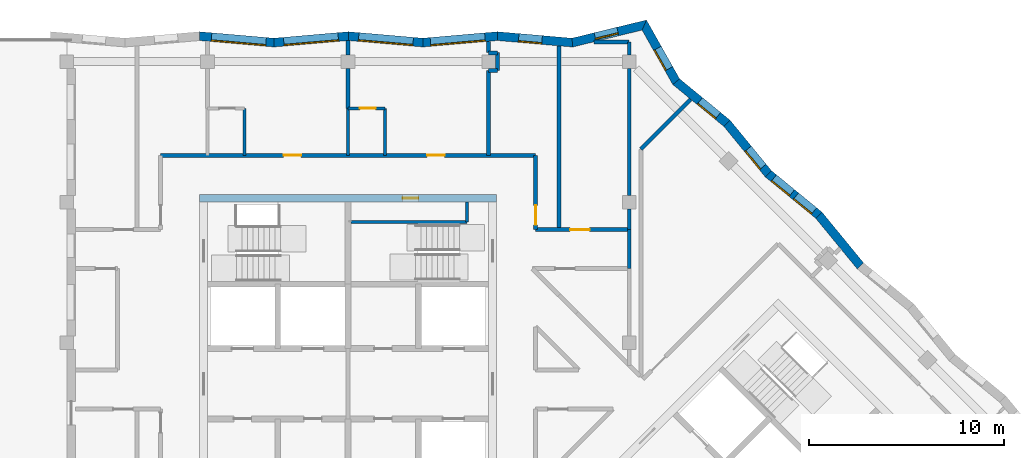
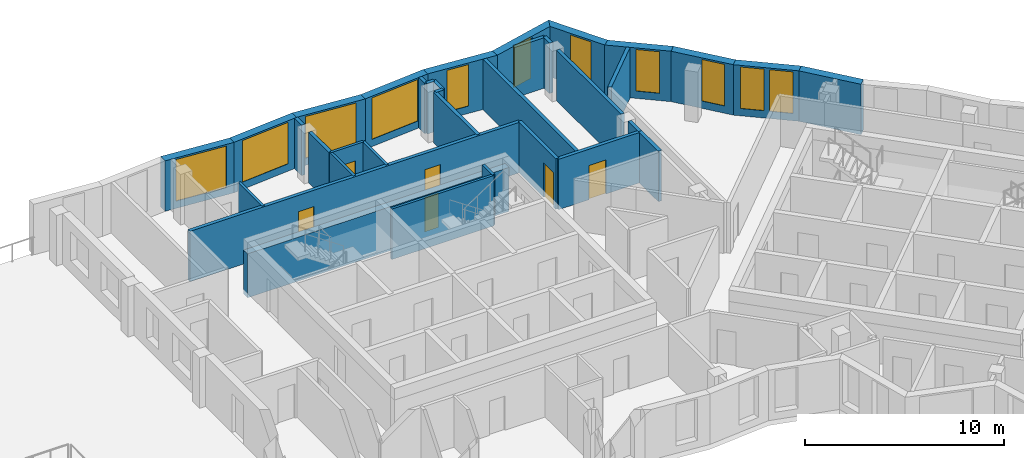
# One storey, part 6 of 12: 35 walls, 11 windows, 6 doors, 17 openings.
"""IFC4 building model written with IfcOpenShell, lengths in metres."""

from ifc_helpers import new_model, si_unit, direction, frame, frame_2d, origin, place, context, subcontext, project, spatial, polyline, rectangle, outline, extrude, material, layer, layer_set, type_object, element, fill, save


model = new_model("IFC4")

# Units and contexts
model_context = context("Model", 3, precision=1e-05, world=origin(), true_north=direction((0.0, 1.0)))
body_context = subcontext(model_context, "Body", "Model", "MODEL_VIEW")
ifc_project = project(units=[si_unit("LENGTHUNIT", "METRE"), si_unit("AREAUNIT", "SQUARE_METRE"), si_unit("VOLUMEUNIT", "CUBIC_METRE"), si_unit("PLANEANGLEUNIT", "RADIAN"), si_unit("MASSUNIT", "GRAM", prefix="KILO")], contexts=[model_context])

# Site, building, storey
site_placement = place(None, origin())
site = spatial("IfcSite", under=ifc_project, at=site_placement, CompositionType="ELEMENT")
building_placement = place(site_placement, origin())
building = spatial("IfcBuilding", under=site, at=building_placement, Name="Windrow Commons", CompositionType="ELEMENT")
storey_placement = place(building_placement, frame((0.0, 0.0, 247.2)))
storey = spatial("IfcBuildingStorey", under=building, at=storey_placement, Name="L67", CompositionType="ELEMENT", Elevation=247.2)

# Wall
ifc_material_1 = material(Name="Brick masonry, red clay brick", Category="masonry")
ifc_layer_1 = layer(ifc_material_1, 0.45)
ifc_layer_set_1 = layer_set([ifc_layer_1], Name="Brick facade wall 450")
wall_type_1 = type_object("IfcWallType", Name="Brick facade wall 450", PredefinedType="SOLIDWALL", material=ifc_layer_set_1)
wall_1_placement = place(storey_placement, frame((91.0319, 61.5455, 0.0), z_axis=(0.0, 0.0, 1.0), x_axis=(-0.6339018614, 0.7734134923, 0.0)))
element("IfcWall", 1, at=wall_1_placement, inside=storey, type_object=wall_type_1, Name="Brick facade wall L67 12", PredefinedType="SOLIDWALL", context=body_context, shape_type="SweptSolid", body=[
    extrude(outline(polyline([(0.0223, -0.225), (3.3669, -0.225), (3.3222, 0.225), (-0.0223, 0.225), (0.0223, -0.225)])), origin(), (0.0, 0.0, 1.0), 3.1),
])

# Wall, openings, windows
wall_2_placement = place(storey_placement, frame((88.9118, 64.1322, 0.0), z_axis=(0.0, 0.0, 1.0), x_axis=(-0.7734134923, 0.6339018614, 0.0)))
wall_2 = element("IfcWall", 2, at=wall_2_placement, inside=storey, type_object=wall_type_1, Name="Brick facade wall L67 13", PredefinedType="SOLIDWALL", context=body_context, shape_type="SweptSolid", body=[
    extrude(outline(polyline([(-0.0223, -0.225), (3.3222, -0.225), (3.3669, 0.225), (0.0223, 0.225), (-0.0223, -0.225)])), origin(), (0.0, 0.0, 1.0), 3.1),
])
opening_1_placement = place(wall_2_placement, frame((0.3305, 0.0, 0.45)))
opening_1 = element("IfcOpeningElement", 3, at=opening_1_placement, cuts=wall_2, Name="Opening W7F", PredefinedType="OPENING", context=body_context, shape_type="SweptSolid", body=[
    extrude(rectangle(XDim=1.2, YDim=2.55, at=frame_2d((0.6, 1.275))), frame((0.0, 0.235, 0.0), z_axis=(0.0, -1.0, 0.0), x_axis=(1.0, 0.0, 0.0)), (0.0, 0.0, 1.0), 0.47),
])
opening_2_placement = place(wall_2_placement, frame((1.7916, 0.0, 0.45)))
opening_2 = element("IfcOpeningElement", 4, at=opening_2_placement, cuts=wall_2, Name="Opening W7F", PredefinedType="OPENING", context=body_context, shape_type="SweptSolid", body=[
    extrude(rectangle(XDim=1.2, YDim=2.55, at=frame_2d((0.6, 1.275))), frame((0.0, 0.235, 0.0), z_axis=(0.0, -1.0, 0.0), x_axis=(1.0, 0.0, 0.0)), (0.0, 0.0, 1.0), 0.47),
])
ifc_material_2 = material(Name="Clear float glass in anodised aluminium frame", Category="aluminium")
window_type_1 = type_object("IfcWindowType", Name="Window W7 notch 1200x2550", PartitioningType="SINGLE_PANEL", PredefinedType="WINDOW", material=ifc_material_2)
window_1_placement = place(opening_1_placement, origin())
window_1 = element("IfcWindow", 5, at=window_1_placement, inside=storey, type_object=window_type_1, Name="Window L67 13.1", OverallHeight=2.55, OverallWidth=1.2, PartitioningType="SINGLE_PANEL", PredefinedType="WINDOW", context=body_context, shape_type="SweptSolid", body=[
    extrude(rectangle(XDim=1.2, YDim=2.55, at=frame_2d((0.6, 1.275))), frame((0.0, 0.205, 0.0), z_axis=(0.0, -1.0, 0.0), x_axis=(1.0, 0.0, 0.0)), (0.0, 0.0, 1.0), 0.06),
])
fill(opening_1, window_1)
window_2_placement = place(opening_2_placement, origin())
window_2 = element("IfcWindow", 6, at=window_2_placement, inside=storey, type_object=window_type_1, Name="Window L67 13.2", OverallHeight=2.55, OverallWidth=1.2, PartitioningType="SINGLE_PANEL", PredefinedType="WINDOW", context=body_context, shape_type="SweptSolid", body=[
    extrude(rectangle(XDim=1.2, YDim=2.55, at=frame_2d((0.6, 1.275))), frame((0.0, 0.205, 0.0), z_axis=(0.0, -1.0, 0.0), x_axis=(1.0, 0.0, 0.0)), (0.0, 0.0, 1.0), 0.06),
])
fill(opening_2, window_2)

# Wall, opening, window
wall_3_placement = place(storey_placement, frame((86.3251, 66.2523, 0.0), z_axis=(0.0, 0.0, 1.0), x_axis=(-0.6339018614, 0.7734134923, 0.0)))
wall_3 = element("IfcWall", 7, at=wall_3_placement, inside=storey, type_object=wall_type_1, Name="Brick facade wall L67 14", PredefinedType="SOLIDWALL", context=body_context, shape_type="SweptSolid", body=[
    extrude(outline(polyline([(0.0223, -0.225), (3.3669, -0.225), (3.3222, 0.225), (-0.0223, 0.225), (0.0223, -0.225)])), origin(), (0.0, 0.0, 1.0), 3.1),
])
opening_3_placement = place(wall_3_placement, frame((0.4559, 0.0, 0.45)))
opening_3 = element("IfcOpeningElement", 8, at=opening_3_placement, cuts=wall_3, Name="Opening W7F", PredefinedType="OPENING", context=body_context, shape_type="SweptSolid", body=[
    extrude(rectangle(XDim=1.2, YDim=2.55, at=frame_2d((0.6, 1.275))), frame((0.0, 0.235, 0.0), z_axis=(0.0, -1.0, 0.0), x_axis=(1.0, 0.0, 0.0)), (0.0, 0.0, 1.0), 0.47),
])
window_3_placement = place(opening_3_placement, origin())
window_3 = element("IfcWindow", 9, at=window_3_placement, inside=storey, type_object=window_type_1, Name="Window L67 14.1", OverallHeight=2.55, OverallWidth=1.2, PartitioningType="SINGLE_PANEL", PredefinedType="WINDOW", context=body_context, shape_type="SweptSolid", body=[
    extrude(rectangle(XDim=1.2, YDim=2.55, at=frame_2d((0.6, 1.275))), frame((0.0, 0.205, 0.0), z_axis=(0.0, -1.0, 0.0), x_axis=(1.0, 0.0, 0.0)), (0.0, 0.0, 1.0), 0.06),
])
fill(opening_3, window_3)

wall_4_placement = place(storey_placement, frame((84.205, 68.839, 0.0), z_axis=(0.0, 0.0, 1.0), x_axis=(-0.7734286531, 0.6338833635, 0.0)))
wall_4 = element("IfcWall", 10, at=wall_4_placement, inside=storey, type_object=wall_type_1, Name="Brick facade wall L67 15", PredefinedType="SOLIDWALL", context=body_context, shape_type="SweptSolid", body=[
    extrude(outline(polyline([(-0.0223, -0.225), (3.3222, -0.225), (3.4068, 0.225), (0.0223, 0.225), (-0.0223, -0.225)])), origin(), (0.0, 0.0, 1.0), 3.1),
])
opening_4_placement = place(wall_4_placement, frame((0.6036, 0.0, 0.45)))
opening_4 = element("IfcOpeningElement", 11, at=opening_4_placement, cuts=wall_4, Name="Opening W7F", PredefinedType="OPENING", context=body_context, shape_type="SweptSolid", body=[
    extrude(rectangle(XDim=1.2, YDim=2.55, at=frame_2d((0.6, 1.275))), frame((0.0, 0.235, 0.0), z_axis=(0.0, -1.0, 0.0), x_axis=(1.0, 0.0, 0.0)), (0.0, 0.0, 1.0), 0.47),
])
window_4_placement = place(opening_4_placement, origin())
window_4 = element("IfcWindow", 12, at=window_4_placement, inside=storey, type_object=window_type_1, Name="Window L67 15.1", OverallHeight=2.55, OverallWidth=1.2, PartitioningType="SINGLE_PANEL", PredefinedType="WINDOW", context=body_context, shape_type="SweptSolid", body=[
    extrude(rectangle(XDim=1.2, YDim=2.55, at=frame_2d((0.6, 1.275))), frame((0.0, 0.205, 0.0), z_axis=(0.0, -1.0, 0.0), x_axis=(1.0, 0.0, 0.0)), (0.0, 0.0, 1.0), 0.06),
])
fill(opening_4, window_4)

wall_5_placement = place(storey_placement, frame((81.6028, 70.9717, 0.0), z_axis=(0.0, 0.0, 1.0), x_axis=(-0.4907277416, 0.8713129654, 0.0)))
wall_5 = element("IfcWall", 13, at=wall_5_placement, inside=storey, type_object=wall_type_1, Name="Brick facade wall L67 16", PredefinedType="SOLIDWALL", context=body_context, shape_type="SweptSolid", body=[
    extrude(outline(polyline([(0.0423, -0.225), (3.498, -0.225), (3.157, 0.225), (-0.0423, 0.225), (0.0423, -0.225)])), origin(), (0.0, 0.0, 1.0), 3.1),
])
opening_5_placement = place(wall_5_placement, frame((0.7595, 0.0, 0.45)))
opening_5 = element("IfcOpeningElement", 14, at=opening_5_placement, cuts=wall_5, Name="Opening W7F", PredefinedType="OPENING", context=body_context, shape_type="SweptSolid", body=[
    extrude(rectangle(XDim=1.2, YDim=2.55, at=frame_2d((0.6, 1.275))), frame((0.0, 0.235, 0.0), z_axis=(0.0, -1.0, 0.0), x_axis=(1.0, 0.0, 0.0)), (0.0, 0.0, 1.0), 0.47),
])
window_5_placement = place(opening_5_placement, origin())
window_5 = element("IfcWindow", 15, at=window_5_placement, inside=storey, type_object=window_type_1, Name="Window L67 16.1", OverallHeight=2.55, OverallWidth=1.2, PartitioningType="SINGLE_PANEL", PredefinedType="WINDOW", context=body_context, shape_type="SweptSolid", body=[
    extrude(rectangle(XDim=1.2, YDim=2.55, at=frame_2d((0.6, 1.275))), frame((0.0, 0.205, 0.0), z_axis=(0.0, -1.0, 0.0), x_axis=(1.0, 0.0, 0.0)), (0.0, 0.0, 1.0), 0.06),
])
fill(opening_5, window_5)

wall_6_placement = place(storey_placement, frame((79.9699, 73.871, 0.0), z_axis=(0.0, 0.0, 1.0), x_axis=(-0.9715539303, -0.2368184125, 0.0)))
wall_6 = element("IfcWall", 16, at=wall_6_placement, inside=storey, type_object=wall_type_1, Name="Brick facade wall L67 17", PredefinedType="SOLIDWALL", context=body_context, shape_type="SweptSolid", body=[
    extrude(outline(polyline([(-0.1705, -0.225), (3.7564, -0.225), (3.8302, 0.225), (0.1705, 0.225), (-0.1705, -0.225)])), origin(), (0.0, 0.0, 1.0), 3.1),
])
opening_6_placement = place(wall_6_placement, frame((1.3929, 0.0, 0.45)))
opening_6 = element("IfcOpeningElement", 17, at=opening_6_placement, cuts=wall_6, Name="Opening W7F", PredefinedType="OPENING", context=body_context, shape_type="SweptSolid", body=[
    extrude(rectangle(XDim=1.2, YDim=2.55, at=frame_2d((0.6, 1.275))), frame((0.0, 0.235, 0.0), z_axis=(0.0, -1.0, 0.0), x_axis=(1.0, 0.0, 0.0)), (0.0, 0.0, 1.0), 0.47),
])
window_6_placement = place(opening_6_placement, origin())
window_6 = element("IfcWindow", 18, at=window_6_placement, inside=storey, type_object=window_type_1, Name="Window L67 17.1", OverallHeight=2.55, OverallWidth=1.2, PartitioningType="SINGLE_PANEL", PredefinedType="WINDOW", context=body_context, shape_type="SweptSolid", body=[
    extrude(rectangle(XDim=1.2, YDim=2.55, at=frame_2d((0.6, 1.275))), frame((0.0, 0.125, 0.0), z_axis=(0.0, -1.0, 0.0), x_axis=(1.0, 0.0, 0.0)), (0.0, 0.0, 1.0), 0.06),
])
fill(opening_6, window_6)

wall_7_placement = place(storey_placement, frame((76.2846, 72.9727, 0.0), z_axis=(0.0, 0.0, 1.0), x_axis=(-0.9962801831, 0.0861730629, 0.0)))
wall_7 = element("IfcWall", 19, at=wall_7_placement, inside=storey, type_object=wall_type_1, Name="Brick facade wall L67 18", PredefinedType="SOLIDWALL", context=body_context, shape_type="SweptSolid", body=[
    extrude(outline(polyline([(0.0369, -0.225), (3.8663, -0.225), (3.8274, 0.225), (-0.0369, 0.225), (0.0369, -0.225)])), origin(), (0.0, 0.0, 1.0), 3.1),
])
opening_7_placement = place(wall_7_placement, frame((1.5573, 0.0, 0.45)))
opening_7 = element("IfcOpeningElement", 20, at=opening_7_placement, cuts=wall_7, Name="Opening W7F", PredefinedType="OPENING", context=body_context, shape_type="SweptSolid", body=[
    extrude(rectangle(XDim=1.2, YDim=2.55, at=frame_2d((0.6, 1.275))), frame((0.0, 0.235, 0.0), z_axis=(0.0, -1.0, 0.0), x_axis=(1.0, 0.0, 0.0)), (0.0, 0.0, 1.0), 0.47),
])
window_7_placement = place(opening_7_placement, origin())
window_7 = element("IfcWindow", 21, at=window_7_placement, inside=storey, type_object=window_type_1, Name="Window L67 18.1", OverallHeight=2.55, OverallWidth=1.2, PartitioningType="SINGLE_PANEL", PredefinedType="WINDOW", context=body_context, shape_type="SweptSolid", body=[
    extrude(rectangle(XDim=1.2, YDim=2.55, at=frame_2d((0.6, 1.275))), frame((0.0, 0.205, 0.0), z_axis=(0.0, -1.0, 0.0), x_axis=(1.0, 0.0, 0.0)), (0.0, 0.0, 1.0), 0.06),
])
fill(opening_7, window_7)

wall_8_placement = place(storey_placement, frame((72.452, 73.3042, 0.0), z_axis=(0.0, 0.0, 1.0), x_axis=(-0.9962800708, -0.0861743613, 0.0)))
wall_8 = element("IfcWall", 22, at=wall_8_placement, inside=storey, type_object=wall_type_1, Name="Brick facade wall L67 19", PredefinedType="SOLIDWALL", context=body_context, shape_type="SweptSolid", body=[
    extrude(outline(polyline([(-0.0195, -0.225), (3.8099, -0.225), (3.8489, 0.225), (0.0195, 0.225), (-0.0195, -0.225)])), origin(), (0.0, 0.0, 1.0), 3.1),
])
opening_8_placement = place(wall_8_placement, frame((0.6415, 0.0, 0.45)))
opening_8 = element("IfcOpeningElement", 23, at=opening_8_placement, cuts=wall_8, Name="Opening W1V", PredefinedType="OPENING", context=body_context, shape_type="SweptSolid", body=[
    extrude(rectangle(XDim=2.8, YDim=2.55, at=frame_2d((1.4, 1.275))), frame((0.0, 0.235, 0.0), z_axis=(0.0, -1.0, 0.0), x_axis=(1.0, 0.0, 0.0)), (0.0, 0.0, 1.0), 0.47),
])
ifc_material_3 = material(Name="Clear float glass in anodised aluminium frame", Category="aluminium")
window_type_2 = type_object("IfcWindowType", Name="Window W1V bedroom 2800x2550", PartitioningType="SINGLE_PANEL", PredefinedType="WINDOW", material=ifc_material_3)
window_8_placement = place(opening_8_placement, origin())
window_8 = element("IfcWindow", 24, at=window_8_placement, inside=storey, type_object=window_type_2, Name="Window L67 19.1", OverallHeight=2.55, OverallWidth=2.8, PartitioningType="SINGLE_PANEL", PredefinedType="WINDOW", context=body_context, shape_type="SweptSolid", body=[
    extrude(rectangle(XDim=2.8, YDim=2.55, at=frame_2d((1.4, 1.275))), frame((0.0, 0.205, 0.0), z_axis=(0.0, -1.0, 0.0), x_axis=(1.0, 0.0, 0.0)), (0.0, 0.0, 1.0), 0.06),
])
fill(opening_8, window_8)

wall_9_placement = place(storey_placement, frame((68.6368, 72.9742, 0.0), z_axis=(0.0, 0.0, 1.0), x_axis=(-0.9962798769, 0.0861766033, 0.0)))
wall_9 = element("IfcWall", 25, at=wall_9_placement, inside=storey, type_object=wall_type_1, Name="Brick facade wall L67 20", PredefinedType="SOLIDWALL", context=body_context, shape_type="SweptSolid", body=[
    extrude(outline(polyline([(0.0195, -0.225), (3.8489, -0.225), (3.8099, 0.225), (-0.0195, 0.225), (0.0195, -0.225)])), origin(), (0.0, 0.0, 1.0), 3.1),
])
opening_9_placement = place(wall_9_placement, frame((0.505, 0.0, 0.45)))
opening_9 = element("IfcOpeningElement", 26, at=opening_9_placement, cuts=wall_9, Name="Opening W1V", PredefinedType="OPENING", context=body_context, shape_type="SweptSolid", body=[
    extrude(rectangle(XDim=2.8, YDim=2.55, at=frame_2d((1.4, 1.275))), frame((0.0, 0.235, 0.0), z_axis=(0.0, -1.0, 0.0), x_axis=(1.0, 0.0, 0.0)), (0.0, 0.0, 1.0), 0.47),
])
window_9_placement = place(opening_9_placement, origin())
window_9 = element("IfcWindow", 27, at=window_9_placement, inside=storey, type_object=window_type_2, Name="Window L67 20.1", OverallHeight=2.55, OverallWidth=2.8, PartitioningType="SINGLE_PANEL", PredefinedType="WINDOW", context=body_context, shape_type="SweptSolid", body=[
    extrude(rectangle(XDim=2.8, YDim=2.55, at=frame_2d((1.4, 1.275))), frame((0.0, 0.205, 0.0), z_axis=(0.0, -1.0, 0.0), x_axis=(1.0, 0.0, 0.0)), (0.0, 0.0, 1.0), 0.06),
])
fill(opening_9, window_9)

wall_10_placement = place(storey_placement, frame((64.8217, 73.3042, 0.0), z_axis=(0.0, 0.0, 1.0), x_axis=(-0.9962800708, -0.0861743613, 0.0)))
wall_10 = element("IfcWall", 28, at=wall_10_placement, inside=storey, type_object=wall_type_1, Name="Brick facade wall L67 21", PredefinedType="SOLIDWALL", context=body_context, shape_type="SweptSolid", body=[
    extrude(outline(polyline([(-0.0195, -0.225), (3.8099, -0.225), (3.8489, 0.225), (0.0195, 0.225), (-0.0195, -0.225)])), origin(), (0.0, 0.0, 1.0), 3.1),
])
opening_10_placement = place(wall_10_placement, frame((0.5244, 0.0, 0.45)))
opening_10 = element("IfcOpeningElement", 29, at=opening_10_placement, cuts=wall_10, Name="Opening W1V", PredefinedType="OPENING", context=body_context, shape_type="SweptSolid", body=[
    extrude(rectangle(XDim=2.8, YDim=2.55, at=frame_2d((1.4, 1.275))), frame((0.0, 0.235, 0.0), z_axis=(0.0, -1.0, 0.0), x_axis=(1.0, 0.0, 0.0)), (0.0, 0.0, 1.0), 0.47),
])
window_10_placement = place(opening_10_placement, origin())
window_10 = element("IfcWindow", 30, at=window_10_placement, inside=storey, type_object=window_type_2, Name="Window L67 21.1", OverallHeight=2.55, OverallWidth=2.8, PartitioningType="SINGLE_PANEL", PredefinedType="WINDOW", context=body_context, shape_type="SweptSolid", body=[
    extrude(rectangle(XDim=2.8, YDim=2.55, at=frame_2d((1.4, 1.275))), frame((0.0, 0.205, 0.0), z_axis=(0.0, -1.0, 0.0), x_axis=(1.0, 0.0, 0.0)), (0.0, 0.0, 1.0), 0.06),
])
fill(opening_10, window_10)

wall_11_placement = place(storey_placement, frame((61.0065, 72.9742, 0.0), z_axis=(0.0, 0.0, 1.0), x_axis=(-0.9962800708, 0.0861743613, 0.0)))
wall_11 = element("IfcWall", 31, at=wall_11_placement, inside=storey, type_object=wall_type_1, Name="Brick facade wall L67 22", PredefinedType="SOLIDWALL", context=body_context, shape_type="SweptSolid", body=[
    extrude(outline(polyline([(0.0195, -0.225), (3.8489, -0.225), (3.8099, 0.225), (-0.0195, 0.225), (0.0195, -0.225)])), origin(), (0.0, 0.0, 1.0), 3.1),
])
opening_11_placement = place(wall_11_placement, frame((0.4096, 0.0, 0.45)))
opening_11 = element("IfcOpeningElement", 32, at=opening_11_placement, cuts=wall_11, Name="Opening W1V", PredefinedType="OPENING", context=body_context, shape_type="SweptSolid", body=[
    extrude(rectangle(XDim=2.8, YDim=2.55, at=frame_2d((1.4, 1.275))), frame((0.0, 0.235, 0.0), z_axis=(0.0, -1.0, 0.0), x_axis=(1.0, 0.0, 0.0)), (0.0, 0.0, 1.0), 0.47),
])
window_11_placement = place(opening_11_placement, origin())
window_11 = element("IfcWindow", 33, at=window_11_placement, inside=storey, type_object=window_type_2, Name="Window L67 22.1", OverallHeight=2.55, OverallWidth=2.8, PartitioningType="SINGLE_PANEL", PredefinedType="WINDOW", context=body_context, shape_type="SweptSolid", body=[
    extrude(rectangle(XDim=2.8, YDim=2.55, at=frame_2d((1.4, 1.275))), frame((0.0, 0.205, 0.0), z_axis=(0.0, -1.0, 0.0), x_axis=(1.0, 0.0, 0.0)), (0.0, 0.0, 1.0), 0.06),
])
fill(opening_11, window_11)

# Wall, openings, doors
ifc_material_4 = material(Name="Blockwork partition", Category="masonry")
ifc_layer_2 = layer(ifc_material_4, 0.2)
ifc_layer_set_2 = layer_set([ifc_layer_2], Name="IW-CORRIDOR-200")
wall_type_2 = type_object("IfcWallType", Name="IW-CORRIDOR-200", PredefinedType="PARTITIONING", material=ifc_layer_set_2)
wall_12_placement = place(storey_placement, frame((55.2, 67.2, 0.0), z_axis=(0.0, 0.0, 1.0), x_axis=(1.0, 0.0, 0.0)))
wall_12 = element("IfcWall", 34, at=wall_12_placement, inside=storey, type_object=wall_type_2, Name="W-L67-W000", PredefinedType="PARTITIONING", context=body_context, shape_type="SweptSolid", body=[
    extrude(rectangle(XDim=19.2, YDim=0.2, at=frame_2d((9.6, 0.0))), origin(), (0.0, 0.0, 1.0), 3.1),
])
opening_12_placement = place(wall_12_placement, frame((6.2994, 0.0, 0.0)))
opening_12 = element("IfcOpeningElement", 35, at=opening_12_placement, cuts=wall_12, Name="Opening D109F", PredefinedType="OPENING", context=body_context, shape_type="SweptSolid", body=[
    extrude(rectangle(XDim=0.9, YDim=2.1, at=frame_2d((0.45, 1.05))), frame((0.0, 0.11, 0.0), z_axis=(0.0, -1.0, 0.0), x_axis=(1.0, 0.0, 0.0)), (0.0, 0.0, 1.0), 0.22),
])
opening_13_placement = place(wall_12_placement, frame((13.65, 0.0, 0.0)))
opening_13 = element("IfcOpeningElement", 36, at=opening_13_placement, cuts=wall_12, Name="Opening D109F", PredefinedType="OPENING", context=body_context, shape_type="SweptSolid", body=[
    extrude(rectangle(XDim=0.9, YDim=2.1, at=frame_2d((0.45, 1.05))), frame((0.0, 0.11, 0.0), z_axis=(0.0, -1.0, 0.0), x_axis=(1.0, 0.0, 0.0)), (0.0, 0.0, 1.0), 0.22),
])
ifc_material_5 = material(Name="Timber door leaf", Category="wood")
door_type_1 = type_object("IfcDoorType", Name="DT-BEDROOM-900", OperationType="SINGLE_SWING_LEFT", PredefinedType="DOOR", material=ifc_material_5)
door_1_placement = place(opening_12_placement, origin())
door_1 = element("IfcDoor", 37, at=door_1_placement, inside=storey, type_object=door_type_1, Name="D-L67-D013", OperationType="SINGLE_SWING_RIGHT", OverallHeight=2.1, OverallWidth=0.9, PredefinedType="DOOR", context=body_context, shape_type="SweptSolid", body=[
    extrude(rectangle(XDim=0.9, YDim=2.1, at=frame_2d((0.45, 1.05))), frame((0.0, 0.025, 0.0), z_axis=(0.0, -1.0, 0.0), x_axis=(1.0, 0.0, 0.0)), (0.0, 0.0, 1.0), 0.05),
])
fill(opening_12, door_1)
door_2_placement = place(opening_13_placement, origin())
door_2 = element("IfcDoor", 38, at=door_2_placement, inside=storey, type_object=door_type_1, Name="D-L67-D015", OperationType="SINGLE_SWING_RIGHT", OverallHeight=2.1, OverallWidth=0.9, PredefinedType="DOOR", context=body_context, shape_type="SweptSolid", body=[
    extrude(rectangle(XDim=0.9, YDim=2.1, at=frame_2d((0.45, 1.05))), frame((0.0, 0.025, 0.0), z_axis=(0.0, -1.0, 0.0), x_axis=(1.0, 0.0, 0.0)), (0.0, 0.0, 1.0), 0.05),
])
fill(opening_13, door_2)

# Wall, opening, door
wall_13_placement = place(storey_placement, frame((74.402, 63.4, 0.0), z_axis=(0.0, 0.0, 1.0), x_axis=(1.0, 0.0, 0.0)))
wall_13 = element("IfcWall", 39, at=wall_13_placement, inside=storey, type_object=wall_type_2, Name="W-L67-W022", PredefinedType="PARTITIONING", context=body_context, shape_type="SweptSolid", body=[
    extrude(rectangle(XDim=4.798, YDim=0.2, at=frame_2d((2.399, 0.0))), origin(), (0.0, 0.0, 1.0), 3.1),
])
opening_14_placement = place(wall_13_placement, frame((1.7655, 0.0, 0.0)))
opening_14 = element("IfcOpeningElement", 40, at=opening_14_placement, cuts=wall_13, Name="Opening D310F", PredefinedType="OPENING", context=body_context, shape_type="SweptSolid", body=[
    extrude(rectangle(XDim=1.0, YDim=2.1, at=frame_2d((0.5, 1.05))), frame((0.0, 0.11, 0.0), z_axis=(0.0, -1.0, 0.0), x_axis=(1.0, 0.0, 0.0)), (0.0, 0.0, 1.0), 0.22),
])
ifc_material_6 = material(Name="Timber door leaf", Category="wood")
door_type_2 = type_object("IfcDoorType", Name="DT-AMENITY-1000", OperationType="SINGLE_SWING_LEFT", PredefinedType="DOOR", material=ifc_material_6)
door_3_placement = place(opening_14_placement, origin())
door_3 = element("IfcDoor", 41, at=door_3_placement, inside=storey, type_object=door_type_2, Name="D-L67-D012", OperationType="SINGLE_SWING_LEFT", OverallHeight=2.1, OverallWidth=1.0, PredefinedType="DOOR", context=body_context, shape_type="SweptSolid", body=[
    extrude(rectangle(XDim=1.0, YDim=2.1, at=frame_2d((0.5, 1.05))), frame((0.0, 0.025, 0.0), z_axis=(0.0, -1.0, 0.0), x_axis=(1.0, 0.0, 0.0)), (0.0, 0.0, 1.0), 0.05),
])
fill(opening_14, door_3)

wall_14_placement = place(storey_placement, frame((74.4, 63.402, 0.0), z_axis=(0.0, 0.0, 1.0), x_axis=(0.0, 1.0, 0.0)))
wall_14 = element("IfcWall", 42, at=wall_14_placement, inside=storey, type_object=wall_type_2, Name="W-L67-W034", PredefinedType="PARTITIONING", context=body_context, shape_type="SweptSolid", body=[
    extrude(rectangle(XDim=3.798, YDim=0.2, at=frame_2d((1.899, 0.0))), origin(), (0.0, 0.0, 1.0), 3.1),
])
opening_15_placement = place(wall_14_placement, frame((0.2313, 0.0, 0.0)))
opening_15 = element("IfcOpeningElement", 43, at=opening_15_placement, cuts=wall_14, Name="Opening D310F", PredefinedType="OPENING", context=body_context, shape_type="SweptSolid", body=[
    extrude(rectangle(XDim=1.0, YDim=2.1, at=frame_2d((0.5, 1.05))), frame((0.0, 0.11, 0.0), z_axis=(0.0, -1.0, 0.0), x_axis=(1.0, 0.0, 0.0)), (0.0, 0.0, 1.0), 0.22),
])
door_4_placement = place(opening_15_placement, origin())
door_4 = element("IfcDoor", 44, at=door_4_placement, inside=storey, type_object=door_type_2, Name="D-L67-D011", OperationType="SINGLE_SWING_RIGHT", OverallHeight=2.1, OverallWidth=1.0, PredefinedType="DOOR", context=body_context, shape_type="SweptSolid", body=[
    extrude(rectangle(XDim=1.0, YDim=2.1, at=frame_2d((0.5, 1.05))), frame((0.0, 0.025, 0.0), z_axis=(0.0, -1.0, 0.0), x_axis=(1.0, 0.0, 0.0)), (0.0, 0.0, 1.0), 0.05),
])
fill(opening_15, door_4)

# Walls
wall_15_placement = place(storey_placement, frame((79.2, 61.4, 0.0), z_axis=(0.0, 0.0, 1.0), x_axis=(0.0, 1.0, 0.0)))
element("IfcWall", 45, at=wall_15_placement, inside=storey, type_object=wall_type_2, Name="W-L67-W066", PredefinedType="PARTITIONING", context=body_context, shape_type="SweptSolid", body=[
    extrude(rectangle(XDim=2.0, YDim=0.2, at=frame_2d((1.0, 0.0))), origin(), (0.0, 0.0, 1.0), 3.1),
])
ifc_material_7 = material(Name="Blockwork partition", Category="masonry")
ifc_layer_3 = layer(ifc_material_7, 0.15)
ifc_layer_set_3 = layer_set([ifc_layer_3], Name="IW-ENSUITE-150")
wall_type_3 = type_object("IfcWallType", Name="IW-ENSUITE-150", PredefinedType="PARTITIONING", material=ifc_layer_set_3)
for number, where, z_axis, x_axis, name in (
    (46, (59.5, 67.2, 0.0), (0.0, 0.0, 1.0), (0.0, 1.0, 0.0), "W-L67-W049"),
    (47, (66.7, 67.2, 0.0), (0.0, 0.0, 1.0), (0.0, 1.0, 0.0), "W-L67-W051"),
    (48, (64.8, 67.2, 0.0), (0.0, 0.0, 1.0), (0.0, 1.0, 0.0), "W-L67-W052"),
):
    element("IfcWall", number, at=place(storey_placement, frame(where, z_axis=z_axis, x_axis=x_axis)), inside=storey, type_object=wall_type_3, Name=name, PredefinedType="PARTITIONING", context=body_context, shape_type="SweptSolid", body=[
        extrude(rectangle(XDim=2.4, YDim=0.15, at=frame_2d((1.2, 0.0))), origin(), (0.0, 0.0, 1.0), 3.1),
    ])

# Wall, opening, door
wall_16_placement = place(storey_placement, frame((64.8, 69.6, 0.0), z_axis=(0.0, 0.0, 1.0), x_axis=(1.0, 0.0, 0.0)))
wall_16 = element("IfcWall", 49, at=wall_16_placement, inside=storey, type_object=wall_type_3, Name="W-L67-W070", PredefinedType="PARTITIONING", context=body_context, shape_type="SweptSolid", body=[
    extrude(rectangle(XDim=1.9, YDim=0.15, at=frame_2d((0.95, 0.0))), origin(), (0.0, 0.0, 1.0), 3.1),
])
opening_16_placement = place(wall_16_placement, frame((0.6069, 0.0, 0.0)))
opening_16 = element("IfcOpeningElement", 50, at=opening_16_placement, cuts=wall_16, Name="Opening D208N", PredefinedType="OPENING", context=body_context, shape_type="SweptSolid", body=[
    extrude(rectangle(XDim=0.8, YDim=2.1, at=frame_2d((0.4, 1.05))), frame((0.0, 0.085, 0.0), z_axis=(0.0, -1.0, 0.0), x_axis=(1.0, 0.0, 0.0)), (0.0, 0.0, 1.0), 0.17),
])
ifc_material_8 = material(Name="Timber door leaf", Category="wood")
door_type_3 = type_object("IfcDoorType", Name="DT-ENSUITE-800", OperationType="SINGLE_SWING_LEFT", PredefinedType="DOOR", material=ifc_material_8)
door_5_placement = place(opening_16_placement, origin())
door_5 = element("IfcDoor", 51, at=door_5_placement, inside=storey, type_object=door_type_3, Name="D-L67-D016", OperationType="SINGLE_SWING_RIGHT", OverallHeight=2.1, OverallWidth=0.8, PredefinedType="DOOR", context=body_context, shape_type="SweptSolid", body=[
    extrude(rectangle(XDim=0.8, YDim=2.1, at=frame_2d((0.4, 1.05))), frame((0.0, 0.025, 0.0), z_axis=(0.0, -1.0, 0.0), x_axis=(1.0, 0.0, 0.0)), (0.0, 0.0, 1.0), 0.05),
])
fill(opening_16, door_5)

# Walls
ifc_material_9 = material(Name="Blockwork partition", Category="masonry")
ifc_layer_4 = layer(ifc_material_9, 0.2)
ifc_layer_set_4 = layer_set([ifc_layer_4], Name="IW-PARTY-200")
wall_type_4 = type_object("IfcWallType", Name="IW-PARTY-200", PredefinedType="PARTITIONING", material=ifc_layer_set_4)
wall_17_placement = place(storey_placement, frame((75.6, 63.4, 0.0), z_axis=(0.0, 0.0, 1.0), x_axis=(0.0, 1.0, 0.0)))
element("IfcWall", 52, at=wall_17_placement, inside=storey, type_object=wall_type_4, Name="W-L67-W007", PredefinedType="PARTITIONING", context=body_context, shape_type="SweptSolid", body=[
    extrude(rectangle(XDim=9.406, YDim=0.2, at=frame_2d((4.703, 0.0))), origin(), (0.0, 0.0, 1.0), 3.1),
])
wall_18_placement = place(storey_placement, frame((79.2, 65.15, 0.0), z_axis=(0.0, 0.0, 1.0), x_axis=(0.0, 1.0, 0.0)))
element("IfcWall", 53, at=wall_18_placement, inside=storey, type_object=wall_type_4, Name="W-L67-W013", PredefinedType="PARTITIONING", context=body_context, shape_type="SweptSolid", body=[
    extrude(rectangle(XDim=6.5, YDim=0.2, at=frame_2d((3.25, 0.0))), origin(), (0.0, 0.0, 1.0), 3.1),
])
wall_19_placement = place(storey_placement, frame((72.0, 67.2, 0.0), z_axis=(0.0, 0.0, 1.0), x_axis=(0.0, 1.0, 0.0)))
element("IfcWall", 54, at=wall_19_placement, inside=storey, type_object=wall_type_4, Name="W-L67-W026", PredefinedType="PARTITIONING", context=body_context, shape_type="SweptSolid", body=[
    extrude(rectangle(XDim=4.346, YDim=0.2, at=frame_2d((2.173, 0.0))), origin(), (0.0, 0.0, 1.0), 3.1),
])
wall_20_placement = place(storey_placement, frame((79.7988, 67.5092, 0.0), z_axis=(0.0, 0.0, 1.0), x_axis=(0.7070929469, 0.7071206152, 0.0)))
element("IfcWall", 55, at=wall_20_placement, inside=storey, type_object=wall_type_4, Name="W-L67-W036", PredefinedType="PARTITIONING", context=body_context, shape_type="SweptSolid", body=[
    extrude(rectangle(XDim=3.6142, YDim=0.2, at=frame_2d((1.8071, 0.0))), origin(), (0.0, 0.0, 1.0), 3.1),
])
wall_21_placement = place(storey_placement, frame((64.8, 69.6, 0.0), z_axis=(0.0, 0.0, 1.0), x_axis=(0.0, 1.0, 0.0)))
element("IfcWall", 56, at=wall_21_placement, inside=storey, type_object=wall_type_4, Name="W-L67-W061", PredefinedType="PARTITIONING", context=body_context, shape_type="SweptSolid", body=[
    extrude(rectangle(XDim=2.05, YDim=0.2, at=frame_2d((1.025, 0.0))), origin(), (0.0, 0.0, 1.0), 3.1),
])
wall_22_placement = place(storey_placement, frame((77.3968, 73.0, 0.0), z_axis=(0.0, 0.0, 1.0), x_axis=(1.0, 0.0, 0.0)))
element("IfcWall", 57, at=wall_22_placement, inside=storey, type_object=wall_type_4, Name="W-L67-W073", PredefinedType="PARTITIONING", context=body_context, shape_type="SweptSolid", body=[
    extrude(rectangle(XDim=1.8032, YDim=0.2, at=frame_2d((0.9016, 0.0))), origin(), (0.0, 0.0, 1.0), 3.1),
])
wall_23_placement = place(storey_placement, frame((79.2, 63.4, 0.0), z_axis=(0.0, 0.0, 1.0), x_axis=(0.0, 1.0, 0.0)))
element("IfcWall", 58, at=wall_23_placement, inside=storey, type_object=wall_type_4, Name="W-L67-W078", PredefinedType="PARTITIONING", context=body_context, shape_type="SweptSolid", body=[
    extrude(rectangle(XDim=1.05, YDim=0.2, at=frame_2d((0.525, 0.0))), origin(), (0.0, 0.0, 1.0), 3.1),
])
wall_24_placement = place(storey_placement, frame((72.45, 71.546, 0.0), z_axis=(0.0, 0.0, 1.0), x_axis=(0.0, 1.0, 0.0)))
element("IfcWall", 59, at=wall_24_placement, inside=storey, type_object=wall_type_4, Name="W-L67-W079", PredefinedType="PARTITIONING", context=body_context, shape_type="SweptSolid", body=[
    extrude(rectangle(XDim=0.908, YDim=0.2, at=frame_2d((0.454, 0.0))), origin(), (0.0, 0.0, 1.0), 3.1),
])
wall_25_placement = place(storey_placement, frame((64.8, 72.35, 0.0), z_axis=(0.0, 0.0, 1.0), x_axis=(0.0, 1.0, 0.0)))
element("IfcWall", 60, at=wall_25_placement, inside=storey, type_object=wall_type_4, Name="W-L67-W087", PredefinedType="PARTITIONING", context=body_context, shape_type="SweptSolid", body=[
    extrude(rectangle(XDim=0.7264, YDim=0.2, at=frame_2d((0.3632, 0.0))), origin(), (0.0, 0.0, 1.0), 3.1),
])
wall_26_placement = place(storey_placement, frame((79.2, 72.35, 0.0), z_axis=(0.0, 0.0, 1.0), x_axis=(0.0, 1.0, 0.0)))
element("IfcWall", 61, at=wall_26_placement, inside=storey, type_object=wall_type_4, Name="W-L67-W088", PredefinedType="PARTITIONING", context=body_context, shape_type="SweptSolid", body=[
    extrude(rectangle(XDim=0.65, YDim=0.2, at=frame_2d((0.325, 0.0))), origin(), (0.0, 0.0, 1.0), 3.1),
])
wall_27_placement = place(storey_placement, frame((72.0, 72.454, 0.0), z_axis=(0.0, 0.0, 1.0), x_axis=(0.0, 1.0, 0.0)))
element("IfcWall", 62, at=wall_27_placement, inside=storey, type_object=wall_type_4, Name="W-L67-W093", PredefinedType="PARTITIONING", context=body_context, shape_type="SweptSolid", body=[
    extrude(rectangle(XDim=0.5852, YDim=0.2, at=frame_2d((0.2926, 0.0))), origin(), (0.0, 0.0, 1.0), 3.1),
])
for number, where, z_axis, x_axis, name in (
    (63, (72.0, 71.55, 0.0), (0.0, 0.0, 1.0), (1.0, 0.0, 0.0), "W-L67-W097"),
    (64, (72.0, 72.45, 0.0), (0.0, 0.0, 1.0), (1.0, 0.0, 0.0), "W-L67-W098"),
):
    element("IfcWall", number, at=place(storey_placement, frame(where, z_axis=z_axis, x_axis=x_axis)), inside=storey, type_object=wall_type_4, Name=name, PredefinedType="PARTITIONING", context=body_context, shape_type="SweptSolid", body=[
        extrude(rectangle(XDim=0.45, YDim=0.2, at=frame_2d((0.225, 0.0))), origin(), (0.0, 0.0, 1.0), 3.1),
    ])

# Wall, opening, door
ifc_material_10 = material(Name="Concrete C40/50", Category="concrete")
ifc_layer_5 = layer(ifc_material_10, 0.4)
ifc_layer_set_5 = layer_set([ifc_layer_5], Name="RC CORE WALL 400 C40/50")
wall_type_5 = type_object("IfcWallType", Name="RC CORE WALL 400 C40/50", PredefinedType="SHEAR", material=ifc_layer_set_5)
wall_28_placement = place(storey_placement, frame((57.2, 65.0, -0.3), z_axis=(0.0, 0.0, 1.0), x_axis=(1.0, 0.0, 0.0)))
wall_28 = element("IfcWall", 65, at=wall_28_placement, inside=storey, type_object=wall_type_5, Name="Core A wall outer-N", PredefinedType="SHEAR", context=body_context, shape_type="SweptSolid", body=[
    extrude(rectangle(XDim=15.2, YDim=0.4, at=frame_2d((7.6, 0.0))), origin(), (0.0, 0.0, 1.0), 2.7),
])
opening_17_placement = place(wall_28_placement, frame((10.4, 0.0, 0.3)))
opening_17 = element("IfcOpeningElement", 66, at=opening_17_placement, cuts=wall_28, Name="Opening D9", PredefinedType="OPENING", context=body_context, shape_type="SweptSolid", body=[
    extrude(rectangle(XDim=0.8, YDim=2.1, at=frame_2d((0.4, 1.05))), frame((0.0, 0.21, 0.0), z_axis=(0.0, -1.0, 0.0), x_axis=(1.0, 0.0, 0.0)), (0.0, 0.0, 1.0), 0.42),
])
ifc_material_11 = material(Name="Steel fire door leaf", Category="steel")
door_type_4 = type_object("IfcDoorType", Name="Riser access door 800", OperationType="SINGLE_SWING_LEFT", PredefinedType="DOOR", material=ifc_material_11)
door_6_placement = place(opening_17_placement, origin())
door_6 = element("IfcDoor", 67, at=door_6_placement, inside=storey, type_object=door_type_4, Name="Riser access door", OperationType="SINGLE_SWING_RIGHT", OverallHeight=2.1, OverallWidth=0.8, PredefinedType="DOOR", context=body_context, shape_type="SweptSolid", body=[
    extrude(rectangle(XDim=0.8, YDim=2.1, at=frame_2d((0.4, 1.05))), frame((0.0, 0.025, 0.0), z_axis=(0.0, -1.0, 0.0), x_axis=(1.0, 0.0, 0.0)), (0.0, 0.0, 1.0), 0.05),
])
fill(opening_17, door_6)

# Walls
ifc_material_12 = material(Name="Blockwork partition", Category="masonry")
ifc_layer_6 = layer(ifc_material_12, 0.15)
ifc_layer_set_6 = layer_set([ifc_layer_6], Name="Riser partition 150")
wall_type_6 = type_object("IfcWallType", Name="Riser partition 150", PredefinedType="PARTITIONING", material=ifc_layer_set_6)
wall_29_placement = place(storey_placement, frame((64.95, 63.78, 0.0), z_axis=(0.0, 0.0, 1.0), x_axis=(1.0, 0.0, 0.0)))
element("IfcWall", 68, at=wall_29_placement, inside=storey, type_object=wall_type_6, Name="W-core-strip-A-L67", PredefinedType="PARTITIONING", context=body_context, shape_type="SweptSolid", body=[
    extrude(rectangle(XDim=5.95, YDim=0.15, at=frame_2d((2.975, 0.0))), origin(), (0.0, 0.0, 1.0), 3.1),
])
wall_30_placement = place(storey_placement, frame((70.9, 63.78, 0.0), z_axis=(0.0, 0.0, 1.0), x_axis=(0.0, 1.0, 0.0)))
element("IfcWall", 69, at=wall_30_placement, inside=storey, type_object=wall_type_6, Name="W-core-stripx-A-L67-1", PredefinedType="PARTITIONING", context=body_context, shape_type="SweptSolid", body=[
    extrude(rectangle(XDim=1.02, YDim=0.15, at=frame_2d((0.51, 0.0))), origin(), (0.0, 0.0, 1.0), 3.1),
])

save(model, "model.ifc")
